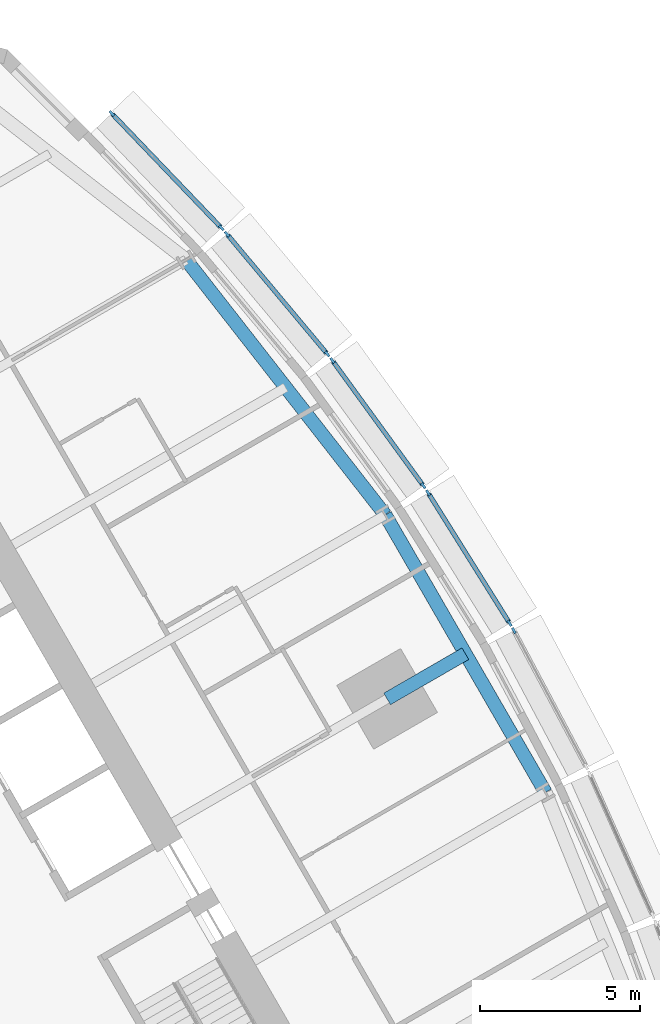
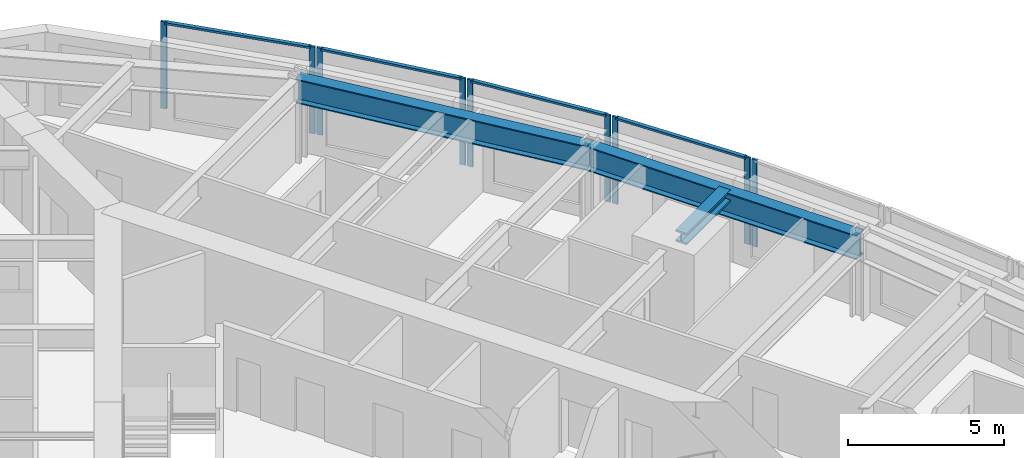
# One storey, part 5 of 14: 13 members, 3 beams, 5 elements without a shape of their own.
"""IFC4 building model written with IfcOpenShell, lengths in metres."""

from ifc_helpers import new_model, si_unit, direction, frame, origin, origin_2d, place, context, subcontext, project, spatial, rectangle, i_section, extrude, material, material_profile, profile_set, type_object, element, aggregate, save


model = new_model("IFC4")

# Units and contexts
model_context = context("Model", 3, precision=1e-05, world=origin(), true_north=direction((0.0, 1.0)))
body_context = subcontext(model_context, "Body", "Model", "MODEL_VIEW")
ifc_project = project(units=[si_unit("LENGTHUNIT", "METRE"), si_unit("AREAUNIT", "SQUARE_METRE"), si_unit("VOLUMEUNIT", "CUBIC_METRE"), si_unit("PLANEANGLEUNIT", "RADIAN"), si_unit("MASSUNIT", "GRAM", prefix="KILO")], contexts=[model_context])

# Site, building, storey
site_placement = place(None, origin())
site = spatial("IfcSite", under=ifc_project, at=site_placement, CompositionType="ELEMENT")
building_placement = place(site_placement, origin())
building = spatial("IfcBuilding", under=site, at=building_placement, Name="Trikona Tower", CompositionType="ELEMENT")
storey_placement = place(building_placement, frame((0.0, 0.0, 165.699951171875)))
storey = spatial("IfcBuildingStorey", under=building, at=storey_placement, Name="L44", CompositionType="ELEMENT", Elevation=165.699951171875)

# Curtain wall, member
ifc_material_1 = material(Name="Aluminium curtain wall system", Category="aluminium")
curtain_wall_type = type_object("IfcCurtainWallType", Name="Curtain wall DS2", PredefinedType="NOTDEFINED", material=ifc_material_1)
curtain_wall_1_placement = place(storey_placement, origin())
curtain_wall_1 = element("IfcCurtainWall", 1, at=curtain_wall_1_placement, inside=storey, type_object=curtain_wall_type, Name="Curtain wall DS2 L44", PredefinedType="NOTDEFINED")
ifc_material_2 = material(Name="Aluminium mullion, pale anodised", Category="aluminium")
ifc_material_profile_1 = material_profile(ifc_material_2, rectangle(XDim=0.080078125, YDim=0.199951171875, at=origin_2d()), Name="MUL-DS2")
ifc_profile_set_1 = profile_set([ifc_material_profile_1], Name="Aluminium mullion, pale anodised")
member_type_1 = type_object("IfcMemberType", Name="Mullion DS2 80x200", PredefinedType="MULLION", material=ifc_profile_set_1)
member_1_placement = place(storey_placement, frame((19.2666015625, 10.9716796875, 0.0), z_axis=(0.0, 0.0, 1.0), x_axis=(-0.882996107343, -0.469380308937, 0.0)))
member_1 = element("IfcMember", 2, at=member_1_placement, type_object=member_type_1, Name="CW-DS2 mullion 2", PredefinedType="MULLION", context=body_context, shape_type="SweptSolid", body=[
    extrude(rectangle(XDim=0.080078125, YDim=0.199951171875, at=origin_2d()), origin(), (0.0, 0.0, 1.0), 3.400146484375),
])
aggregate(curtain_wall_1, [member_1])

# Curtain wall, members
curtain_wall_2_placement = place(storey_placement, origin())
curtain_wall_2 = element("IfcCurtainWall", 3, at=curtain_wall_2_placement, inside=storey, type_object=curtain_wall_type, Name="Curtain wall DS2 L44", PredefinedType="NOTDEFINED")
member_2_placement = place(storey_placement, frame((19.135009765625, 11.199462890625, 0.0), z_axis=(0.0, 0.0, 1.0), x_axis=(-0.847998304006, -0.529998940002, 0.0)))
member_2 = element("IfcMember", 4, at=member_2_placement, type_object=member_type_1, Name="CW-DS2 mullion 1", PredefinedType="MULLION", context=body_context, shape_type="SweptSolid", body=[
    extrude(rectangle(XDim=0.080078125, YDim=0.199951171875, at=origin_2d()), origin(), (0.0, 0.0, 1.0), 3.400146484375),
])
member_3_placement = place(storey_placement, frame((16.589599609375, 15.2724609375, 0.0), z_axis=(0.0, 0.0, 1.0), x_axis=(-0.847998304006, -0.529998940002, 0.0)))
member_3 = element("IfcMember", 5, at=member_3_placement, type_object=member_type_1, Name="CW-DS2 mullion 2", PredefinedType="MULLION", context=body_context, shape_type="SweptSolid", body=[
    extrude(rectangle(XDim=0.080078125, YDim=0.199951171875, at=origin_2d()), origin(), (0.0, 0.0, 1.0), 3.400146484375),
])

curtain_wall_3_placement = place(storey_placement, origin())
curtain_wall_3 = element("IfcCurtainWall", 6, at=curtain_wall_3_placement, inside=storey, type_object=curtain_wall_type, Name="Curtain wall DS2 L44", PredefinedType="NOTDEFINED")
member_4_placement = place(storey_placement, frame((16.442626953125, 15.489990234375, 0.0), z_axis=(0.0, 0.0, 1.0), x_axis=(-0.80908576332, -0.587690588313, 0.0)))
member_4 = element("IfcMember", 7, at=member_4_placement, type_object=member_type_1, Name="CW-DS2 mullion 1", PredefinedType="MULLION", context=body_context, shape_type="SweptSolid", body=[
    extrude(rectangle(XDim=0.080078125, YDim=0.199951171875, at=origin_2d()), origin(), (0.0, 0.0, 1.0), 3.400146484375),
])
member_5_placement = place(storey_placement, frame((13.605712890625, 19.39599609375, 0.0), z_axis=(0.0, 0.0, 1.0), x_axis=(-0.80908576332, -0.587690588313, 0.0)))
member_5 = element("IfcMember", 8, at=member_5_placement, type_object=member_type_1, Name="CW-DS2 mullion 2", PredefinedType="MULLION", context=body_context, shape_type="SweptSolid", body=[
    extrude(rectangle(XDim=0.080078125, YDim=0.199951171875, at=origin_2d()), origin(), (0.0, 0.0, 1.0), 3.400146484375),
])

curtain_wall_4_placement = place(storey_placement, origin())
curtain_wall_4 = element("IfcCurtainWall", 9, at=curtain_wall_4_placement, inside=storey, type_object=curtain_wall_type, Name="Curtain wall DS2 L44", PredefinedType="NOTDEFINED")
member_6_placement = place(storey_placement, frame((13.44482421875, 19.602294921875, 0.0), z_axis=(0.0, 0.0, 1.0), x_axis=(-0.766866678271, -0.641806433248, 0.0)))
member_6 = element("IfcMember", 10, at=member_6_placement, type_object=member_type_1, Name="CW-DS2 mullion 1", PredefinedType="MULLION", context=body_context, shape_type="SweptSolid", body=[
    extrude(rectangle(XDim=0.080078125, YDim=0.199951171875, at=origin_2d()), origin(), (0.0, 0.0, 1.0), 3.400146484375),
])
member_7_placement = place(storey_placement, frame((10.315185546875, 23.34130859375, 0.0), z_axis=(0.0, 0.0, 1.0), x_axis=(-0.766866678271, -0.641806433248, 0.0)))
member_7 = element("IfcMember", 11, at=member_7_placement, type_object=member_type_1, Name="CW-DS2 mullion 2", PredefinedType="MULLION", context=body_context, shape_type="SweptSolid", body=[
    extrude(rectangle(XDim=0.080078125, YDim=0.199951171875, at=origin_2d()), origin(), (0.0, 0.0, 1.0), 3.400146484375),
])

curtain_wall_5_placement = place(storey_placement, origin())
curtain_wall_5 = element("IfcCurtainWall", 12, at=curtain_wall_5_placement, inside=storey, type_object=curtain_wall_type, Name="Curtain wall DS2 L44", PredefinedType="NOTDEFINED")
member_8_placement = place(storey_placement, frame((10.1416015625, 23.535400390625, 0.0), z_axis=(0.0, 0.0, 1.0), x_axis=(-0.722158330767, -0.691727797117, 0.0)))
member_8 = element("IfcMember", 13, at=member_8_placement, type_object=member_type_1, Name="CW-DS2 mullion 1", PredefinedType="MULLION", context=body_context, shape_type="SweptSolid", body=[
    extrude(rectangle(XDim=0.080078125, YDim=0.199951171875, at=origin_2d()), origin(), (0.0, 0.0, 1.0), 3.400146484375),
])
member_9_placement = place(storey_placement, frame((6.718994140625, 27.1083984375, 0.0), z_axis=(0.0, 0.0, 1.0), x_axis=(-0.722158330767, -0.691727797117, 0.0)))
member_9 = element("IfcMember", 14, at=member_9_placement, type_object=member_type_1, Name="CW-DS2 mullion 2", PredefinedType="MULLION", context=body_context, shape_type="SweptSolid", body=[
    extrude(rectangle(XDim=0.080078125, YDim=0.199951171875, at=origin_2d()), origin(), (0.0, 0.0, 1.0), 3.400146484375),
])

# Beams
ifc_material_3 = material(Name="Steel ASTM A992 Grade 50", Category="steel")
ifc_material_profile_2 = material_profile(ifc_material_3, i_section(OverallWidth=0.419189453125, OverallDepth=0.45458984375, WebThickness=0.042236328125, FlangeThickness=0.067626953125, at=origin_2d()), Name="W14X370")
ifc_profile_set_2 = profile_set([ifc_material_profile_2], Name="Steel ASTM A992 Grade 50")
beam_type_1 = type_object("IfcBeamType", Name="Steel beam W14x370 (apex bracket)", PredefinedType="BEAM", material=ifc_profile_set_2)
beam_1_placement = place(storey_placement, frame((15.311767578125, 8.84033203125, 3.0078125), z_axis=(0.86605005072, 0.499957307824, 0.0), x_axis=(-0.499957307824, 0.86605005072, 0.0)))
element("IfcBeam", 15, at=beam_1_placement, inside=storey, type_object=beam_type_1, Name="Cantilever bracket L45 F2", PredefinedType="BEAM", context=body_context, shape_type="SweptSolid", body=[
    extrude(i_section(OverallWidth=0.419189453125, OverallDepth=0.45458984375, WebThickness=0.042236328125, FlangeThickness=0.067626953125, at=origin_2d()), origin(), (0.0, 0.0, 1.0), 2.819580078125),
])
ifc_material_4 = material(Name="Steel ASTM A992 Grade 50", Category="steel")
ifc_material_profile_3 = material_profile(ifc_material_4, i_section(OverallWidth=0.424072265625, OverallDepth=0.947509765625, WebThickness=0.02392578125, FlangeThickness=0.042724609375, at=origin_2d()), Name="W36X302")
ifc_profile_set_3 = profile_set([ifc_material_profile_3], Name="Steel ASTM A992 Grade 50")
beam_type_2 = type_object("IfcBeamType", Name="Steel beam W36x302 (spandrel)", PredefinedType="SPANDREL", material=ifc_profile_set_3)
beam_2_placement = place(storey_placement, frame((20.253662109375, 5.919921875, 2.76123046875), z_axis=(-0.500004234368, 0.866022959057, 0.0), x_axis=(-0.866022959057, -0.500004234368, 0.0)))
element("IfcBeam", 16, at=beam_2_placement, inside=storey, type_object=beam_type_2, Name="Spandrel beam L45 F2-3", PredefinedType="SPANDREL", context=body_context, shape_type="SweptSolid", body=[
    extrude(i_section(OverallWidth=0.424072265625, OverallDepth=0.947509765625, WebThickness=0.02392578125, FlangeThickness=0.042724609375, at=origin_2d()), origin(), (0.0, 0.0, 1.0), 10.0),
])
beam_3_placement = place(storey_placement, frame((15.253662109375, 14.580078125, 2.76123046875), z_axis=(-0.615232009054, 0.788346101046, 0.0), x_axis=(-0.788346101046, -0.615232009054, 0.0)))
element("IfcBeam", 17, at=beam_3_placement, inside=storey, type_object=beam_type_2, Name="Spandrel beam L45 F2-4", PredefinedType="SPANDREL", context=body_context, shape_type="SweptSolid", body=[
    extrude(i_section(OverallWidth=0.424072265625, OverallDepth=0.947509765625, WebThickness=0.02392578125, FlangeThickness=0.042724609375, at=origin_2d()), origin(), (0.0, 0.0, 1.0), 10.09765625),
])

# Member
ifc_material_5 = material(Name="Aluminium transom, pale anodised", Category="aluminium")
ifc_material_profile_4 = material_profile(ifc_material_5, rectangle(XDim=0.139892578125, YDim=0.080078125, at=origin_2d()), Name="TRN-DS2")
ifc_profile_set_4 = profile_set([ifc_material_profile_4], Name="Aluminium transom, pale anodised")
member_type_2 = type_object("IfcMemberType", Name="Transom DS2 80x140", PredefinedType="USERDEFINED", material=ifc_profile_set_4)
member_10_placement = place(storey_placement, frame((19.114013671875, 11.2333984375, 3.360107421875), z_axis=(-0.530031463794, 0.847977975769, 0.0), x_axis=(-0.847977975769, -0.530031463794, 0.0)))
member_10 = element("IfcMember", 18, at=member_10_placement, type_object=member_type_2, Name="CW-DS2 transom 1.1", ObjectType="TRANSOM", PredefinedType="USERDEFINED", context=body_context, shape_type="SweptSolid", body=[
    extrude(rectangle(XDim=0.139892578125, YDim=0.080078125, at=origin_2d()), origin(), (0.0, 0.0, 1.0), 4.72314453125),
])

aggregate(curtain_wall_2, [member_2, member_3, member_10])

member_11_placement = place(storey_placement, frame((16.419189453125, 15.5224609375, 3.360107421875), z_axis=(-0.587694585883, 0.809082859616, 0.0), x_axis=(-0.809082859616, -0.587694585883, 0.0)))
member_11 = element("IfcMember", 19, at=member_11_placement, type_object=member_type_2, Name="CW-DS2 transom 1.1", ObjectType="TRANSOM", PredefinedType="USERDEFINED", context=body_context, shape_type="SweptSolid", body=[
    extrude(rectangle(XDim=0.139892578125, YDim=0.080078125, at=origin_2d()), origin(), (0.0, 0.0, 1.0), 4.747314453125),
])

aggregate(curtain_wall_3, [member_4, member_5, member_11])

member_12_placement = place(storey_placement, frame((13.4189453125, 19.6328125, 3.360107421875), z_axis=(-0.641770294892, 0.766896921753, 0.0), x_axis=(-0.766896921753, -0.641770294892, 0.0)))
member_12 = element("IfcMember", 20, at=member_12_placement, type_object=member_type_2, Name="CW-DS2 transom 1.1", ObjectType="TRANSOM", PredefinedType="USERDEFINED", context=body_context, shape_type="SweptSolid", body=[
    extrude(rectangle(XDim=0.139892578125, YDim=0.080078125, at=origin_2d()), origin(), (0.0, 0.0, 1.0), 4.7958984375),
])

aggregate(curtain_wall_4, [member_6, member_7, member_12])

member_13_placement = place(storey_placement, frame((10.114013671875, 23.564208984375, 3.360107421875), z_axis=(-0.691721246785, 0.722164605022, 0.0), x_axis=(-0.722164605022, -0.691721246785, 0.0)))
member_13 = element("IfcMember", 21, at=member_13_placement, type_object=member_type_2, Name="CW-DS2 transom 1.1", ObjectType="TRANSOM", PredefinedType="USERDEFINED", context=body_context, shape_type="SweptSolid", body=[
    extrude(rectangle(XDim=0.139892578125, YDim=0.080078125, at=origin_2d()), origin(), (0.0, 0.0, 1.0), 4.867919921875),
])

aggregate(curtain_wall_5, [member_8, member_9, member_13])

save(model, "model.ifc")
